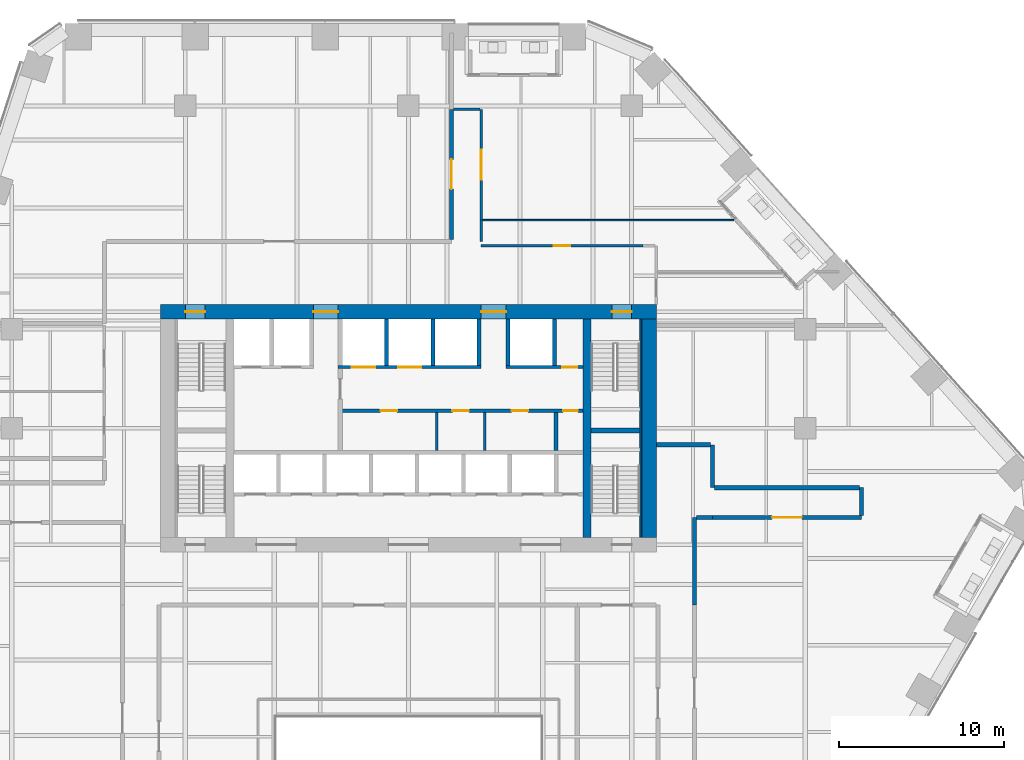
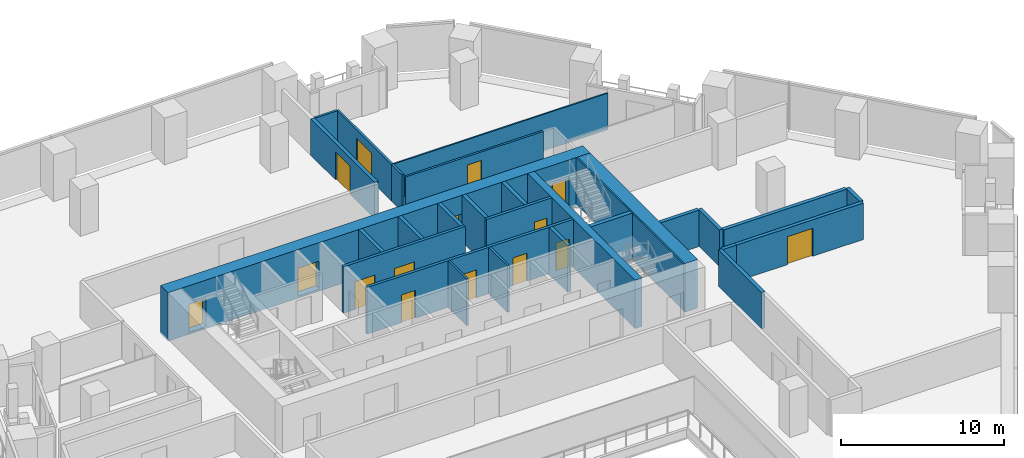
# One storey, part 22 of 28: 29 walls, 15 doors, 15 openings.
"""IFC4 building model written with IfcOpenShell, lengths in metres."""

from ifc_helpers import new_model, si_unit, direction, frame, frame_2d, origin, place, context, subcontext, project, spatial, rectangle, extrude, material, layer, layer_set, type_object, element, fill, save


model = new_model("IFC4")

# Units and contexts
model_context = context("Model", 3, precision=1e-05, world=origin(), true_north=direction((0.0, 1.0)))
body_context = subcontext(model_context, "Body", "Model", "MODEL_VIEW")
ifc_project = project(units=[si_unit("LENGTHUNIT", "METRE"), si_unit("AREAUNIT", "SQUARE_METRE"), si_unit("VOLUMEUNIT", "CUBIC_METRE"), si_unit("PLANEANGLEUNIT", "RADIAN"), si_unit("MASSUNIT", "GRAM", prefix="KILO")], contexts=[model_context])

# Site, building, storey
site_placement = place(None, origin())
site = spatial("IfcSite", under=ifc_project, at=site_placement, CompositionType="ELEMENT")
building_placement = place(site_placement, origin())
building = spatial("IfcBuilding", under=site, at=building_placement, Name="Isthmus Gate Tower", CompositionType="ELEMENT")
storey_placement = place(building_placement, frame((0.0, 0.0, 84.300048828125)))
storey = spatial("IfcBuildingStorey", under=building, at=storey_placement, Name="L19", CompositionType="ELEMENT", Elevation=84.300048828125)

# Walls
ifc_material_1 = material(Name="Double-leaf acoustic stud wall, fire-rated", Category="gypsum")
ifc_layer_1 = layer(ifc_material_1, 0.25)
ifc_layer_set_1 = layer_set([ifc_layer_1], Name="ACOUSTIC WALL 250 60 MIN")
wall_type_1 = type_object("IfcWallType", Name="ACOUSTIC WALL 250 60 MIN", PredefinedType="PARTITIONING", material=ifc_layer_set_1)
wall_1_placement = place(storey_placement, frame((17.298095703125, 2.10205078125, 0.0), z_axis=(0.0, 0.0, 1.0), x_axis=(0.0, -1.0, 0.0)))
element("IfcWall", 1, at=wall_1_placement, inside=storey, type_object=wall_type_1, Name="L19 Acoustic Wall 250 60 Min", PredefinedType="PARTITIONING", context=body_context, shape_type="SweptSolid", body=[
    extrude(rectangle(XDim=5.303955078125, YDim=0.25, at=frame_2d((2.65185546875, 0.0))), origin(), (0.0, 0.0, 1.0), 2.7412109375),
])
wall_2_placement = place(storey_placement, frame((18.402099609375, 2.10205078125, 0.0), z_axis=(0.0, 0.0, 1.0), x_axis=(-1.0, 0.0, 0.0)))
element("IfcWall", 2, at=wall_2_placement, inside=storey, type_object=wall_type_1, Name="L19 Acoustic Wall 250 60 Min", PredefinedType="PARTITIONING", context=body_context, shape_type="SweptSolid", body=[
    extrude(rectangle(XDim=0.97900390625, YDim=0.25, at=frame_2d((0.489501953125, 0.0))), origin(), (0.0, 0.0, 1.0), 2.7412109375),
])
wall_3_placement = place(storey_placement, frame((18.39990234375, 6.5, 0.0), z_axis=(0.0, 0.0, 1.0), x_axis=(0.0, -1.0, 0.0)))
element("IfcWall", 3, at=wall_3_placement, inside=storey, type_object=wall_type_1, Name="L19 Acoustic Wall 250 60 Min", PredefinedType="PARTITIONING", context=body_context, shape_type="SweptSolid", body=[
    extrude(rectangle(XDim=2.60009765625, YDim=0.25, at=frame_2d((1.300048828125, 0.0))), origin(), (0.0, 0.0, 1.0), 2.7412109375),
])

# Wall, opening, door
wall_4_placement = place(storey_placement, frame((27.39990234375, 2.10009765625, 0.0), z_axis=(0.0, 0.0, 1.0), x_axis=(-1.0, 0.0, 0.0)))
wall_4 = element("IfcWall", 4, at=wall_4_placement, inside=storey, type_object=wall_type_1, Name="L19 Acoustic Wall 250 60 Min", PredefinedType="PARTITIONING", context=body_context, shape_type="SweptSolid", body=[
    extrude(rectangle(XDim=8.997802734375, YDim=0.25, at=frame_2d((4.4990234375, 0.0))), origin(), (0.0, 0.0, 1.0), 2.7412109375),
])
opening_1_placement = place(wall_4_placement, frame((3.59912109375, 0.0, 0.0)))
opening_1 = element("IfcOpeningElement", 5, at=opening_1_placement, cuts=wall_4, Name="Opening DT-T2A-09", PredefinedType="OPENING", context=body_context, shape_type="SweptSolid", body=[
    extrude(rectangle(XDim=1.800048828125, YDim=2.10009765625, at=frame_2d((0.89990234375, 1.050048828125))), frame((0.0, 0.135009765625, 0.0), z_axis=(0.0, -1.0, 0.0), x_axis=(1.0, 0.0, 0.0)), (0.0, 0.0, 1.0), 0.27001953125),
])
ifc_material_2 = material(Name="Solid core timber door leaf, fire-rated", Category="wood")
door_type_1 = type_object("IfcDoorType", Name="FIRE DOOR ACOUSTIC ROOM 1800 X 2100 60 MIN", OperationType="DOUBLE_DOOR_DOUBLE_SWING", PredefinedType="DOOR", material=ifc_material_2)
door_1_placement = place(opening_1_placement, origin())
door_1 = element("IfcDoor", 6, at=door_1_placement, inside=storey, type_object=door_type_1, Name="L19 room door", OperationType="DOUBLE_DOOR_DOUBLE_SWING", OverallHeight=2.10009765625, OverallWidth=1.800048828125, PredefinedType="DOOR", context=body_context, shape_type="SweptSolid", body=[
    extrude(rectangle(XDim=1.800048828125, YDim=2.10009765625, at=frame_2d((0.89990234375, 1.050048828125))), frame((0.0, 0.02490234375, 0.0), z_axis=(0.0, -1.0, 0.0), x_axis=(1.0, 0.0, 0.0)), (0.0, 0.0, 1.0), 0.050048828125),
])
fill(opening_1, door_1)

# Wall
wall_5_placement = place(storey_placement, frame((27.39990234375, 3.89990234375, 0.0), z_axis=(0.0, 0.0, 1.0), x_axis=(0.0, -1.0, 0.0)))
element("IfcWall", 7, at=wall_5_placement, inside=storey, type_object=wall_type_1, Name="L19 Acoustic Wall 250 60 Min", PredefinedType="PARTITIONING", context=body_context, shape_type="SweptSolid", body=[
    extrude(rectangle(XDim=1.6748046875, YDim=0.25, at=frame_2d((0.83740234375, 0.0))), origin(), (0.0, 0.0, 1.0), 2.7412109375),
])

# Wall, opening, door
wall_6_placement = place(storey_placement, frame((2.60009765625, 18.925048828125, 0.0), z_axis=(0.0, 0.0, 1.0), x_axis=(0.0, 1.0, 0.0)))
wall_6 = element("IfcWall", 8, at=wall_6_placement, inside=storey, type_object=wall_type_1, Name="L19 Acoustic Wall 250 60 Min", PredefinedType="PARTITIONING", context=body_context, shape_type="SweptSolid", body=[
    extrude(rectangle(XDim=7.875, YDim=0.25, at=frame_2d((3.9375, 0.0))), origin(), (0.0, 0.0, 1.0), 2.7412109375),
])
opening_2_placement = place(wall_6_placement, frame((3.03759765625, 0.0, 0.0)))
opening_2 = element("IfcOpeningElement", 9, at=opening_2_placement, cuts=wall_6, Name="Opening DT-T2A-02", PredefinedType="OPENING", context=body_context, shape_type="SweptSolid", body=[
    extrude(rectangle(XDim=1.800048828125, YDim=2.10009765625, at=frame_2d((0.89990234375, 1.050048828125))), frame((0.0, 0.135009765625, 0.0), z_axis=(0.0, -1.0, 0.0), x_axis=(1.0, 0.0, 0.0)), (0.0, 0.0, 1.0), 0.27001953125),
])
door_2_placement = place(opening_2_placement, origin())
door_2 = element("IfcDoor", 10, at=door_2_placement, inside=storey, type_object=door_type_1, Name="L19 room door", OperationType="DOUBLE_DOOR_DOUBLE_SWING", OverallHeight=2.10009765625, OverallWidth=1.800048828125, PredefinedType="DOOR", context=body_context, shape_type="SweptSolid", body=[
    extrude(rectangle(XDim=1.800048828125, YDim=2.10009765625, at=frame_2d((0.89990234375, 1.050048828125))), frame((0.0, 0.02490234375, 0.0), z_axis=(0.0, -1.0, 0.0), x_axis=(1.0, 0.0, 0.0)), (0.0, 0.0, 1.0), 0.050048828125),
])
fill(opening_2, door_2)

# Walls
wall_7_placement = place(storey_placement, frame((15.0, 6.5, 0.0), z_axis=(0.0, 0.0, 1.0), x_axis=(1.0, 0.0, 0.0)))
element("IfcWall", 11, at=wall_7_placement, inside=storey, type_object=wall_type_1, Name="L19 Acoustic Wall 250 60 Min", PredefinedType="PARTITIONING", context=body_context, shape_type="SweptSolid", body=[
    extrude(rectangle(XDim=3.27490234375, YDim=0.25, at=frame_2d((1.637451171875, 0.0))), origin(), (0.0, 0.0, 1.0), 2.7412109375),
])
wall_8_placement = place(storey_placement, frame((18.52490234375, 3.89990234375, 0.0), z_axis=(0.0, 0.0, 1.0), x_axis=(1.0, 0.0, 0.0)))
element("IfcWall", 12, at=wall_8_placement, inside=storey, type_object=wall_type_1, Name="L19 Acoustic Wall 250 60 Min", PredefinedType="PARTITIONING", context=body_context, shape_type="SweptSolid", body=[
    extrude(rectangle(XDim=8.75, YDim=0.25, at=frame_2d((4.375, 0.0))), origin(), (0.0, 0.0, 1.0), 2.7412109375),
])

# Wall, opening, door
ifc_material_3 = material(Name="Gypsum board on steel studs, fire-rated", Category="steel")
ifc_layer_2 = layer(ifc_material_3, 0.14990234375)
ifc_layer_set_2 = layer_set([ifc_layer_2], Name="CORRIDOR WALL 150 60 MIN")
wall_type_2 = type_object("IfcWallType", Name="CORRIDOR WALL 150 60 MIN", PredefinedType="PARTITIONING", material=ifc_layer_set_2)
wall_9_placement = place(storey_placement, frame((4.39990234375, 26.800048828125, 0.0), z_axis=(0.0, 0.0, 1.0), x_axis=(0.0, -1.0, 0.0)))
wall_9 = element("IfcWall", 13, at=wall_9_placement, inside=storey, type_object=wall_type_2, Name="L19 Corridor Wall 150 60 Min", PredefinedType="PARTITIONING", context=body_context, shape_type="SweptSolid", body=[
    extrude(rectangle(XDim=6.7080078125, YDim=0.14990234375, at=frame_2d((3.35400390625, 0.0))), origin(), (0.0, 0.0, 1.0), 2.7412109375),
])
opening_3_placement = place(wall_9_placement, frame((2.4541015625, 0.0, 0.0)))
opening_3 = element("IfcOpeningElement", 14, at=opening_3_placement, cuts=wall_9, Name="Opening DT-T2A-03", PredefinedType="OPENING", context=body_context, shape_type="SweptSolid", body=[
    extrude(rectangle(XDim=1.800048828125, YDim=2.10009765625, at=frame_2d((0.89990234375, 1.050048828125))), frame((0.0, 0.0849609375, 0.0), z_axis=(0.0, -1.0, 0.0), x_axis=(1.0, 0.0, 0.0)), (0.0, 0.0, 1.0), 0.169921875),
])
ifc_material_4 = material(Name="Solid core timber door leaf, fire-rated", Category="wood")
door_type_2 = type_object("IfcDoorType", Name="FIRE DOOR ROOM 1800 X 2100 60 MIN", OperationType="DOUBLE_DOOR_DOUBLE_SWING", PredefinedType="DOOR", material=ifc_material_4)
door_3_placement = place(opening_3_placement, origin())
door_3 = element("IfcDoor", 15, at=door_3_placement, inside=storey, type_object=door_type_2, Name="L19 room door", OperationType="DOUBLE_DOOR_DOUBLE_SWING", OverallHeight=2.10009765625, OverallWidth=1.800048828125, PredefinedType="DOOR", context=body_context, shape_type="SweptSolid", body=[
    extrude(rectangle(XDim=1.800048828125, YDim=2.10009765625, at=frame_2d((0.89990234375, 1.050048828125))), frame((0.0, 0.02490234375, 0.0), z_axis=(0.0, -1.0, 0.0), x_axis=(1.0, 0.0, 0.0)), (0.0, 0.0, 1.0), 0.050048828125),
])
fill(opening_3, door_3)

# Walls
wall_10_placement = place(storey_placement, frame((4.39990234375, 20.092041015625, 0.0), z_axis=(0.0, 0.0, 1.0), x_axis=(0.0, -1.0, 0.0)))
element("IfcWall", 16, at=wall_10_placement, inside=storey, type_object=wall_type_2, Name="L19 Corridor Wall 150 60 Min", PredefinedType="PARTITIONING", context=body_context, shape_type="SweptSolid", body=[
    extrude(rectangle(XDim=1.2900390625, YDim=0.14990234375, at=frame_2d((0.64501953125, 0.0))), origin(), (0.0, 0.0, 1.0), 2.7412109375),
])
wall_11_placement = place(storey_placement, frame((2.72509765625, 26.800048828125, 0.0), z_axis=(0.0, 0.0, 1.0), x_axis=(1.0, 0.0, 0.0)))
element("IfcWall", 17, at=wall_11_placement, inside=storey, type_object=wall_type_2, Name="L19 Corridor Wall 150 60 Min", PredefinedType="PARTITIONING", context=body_context, shape_type="SweptSolid", body=[
    extrude(rectangle(XDim=1.599853515625, YDim=0.14990234375, at=frame_2d((0.7998046875, 0.0))), origin(), (0.0, 0.0, 1.0), 2.7412109375),
])

# Wall, opening, door
wall_12_placement = place(storey_placement, frame((14.199951171875, 18.5419921875, 0.0), z_axis=(0.0, 0.0, 1.0), x_axis=(-0.999999980148, -0.000199257761, 0.0)))
wall_12 = element("IfcWall", 18, at=wall_12_placement, inside=storey, type_object=wall_type_2, Name="L19 Corridor Wall 150 60 Min", PredefinedType="PARTITIONING", context=body_context, shape_type="SweptSolid", body=[
    extrude(rectangle(XDim=9.802001953125, YDim=0.14990234375, at=frame_2d((4.90087890625, 0.0))), origin(), (0.0, 0.0, 1.0), 2.7412109375),
])
opening_4_placement = place(wall_12_placement, frame((4.40087890625, 0.0, 0.0)))
opening_4 = element("IfcOpeningElement", 19, at=opening_4_placement, cuts=wall_12, Name="Opening DT-T2A-04", PredefinedType="OPENING", context=body_context, shape_type="SweptSolid", body=[
    extrude(rectangle(XDim=1.0, YDim=2.10009765625, at=frame_2d((0.5, 1.050048828125))), frame((0.0, 0.0849609375, 0.0), z_axis=(0.0, -1.0, 0.0), x_axis=(1.0, 0.0, 0.0)), (0.0, 0.0, 1.0), 0.169921875),
])
ifc_material_5 = material(Name="Solid core timber door leaf, fire-rated", Category="wood")
door_type_3 = type_object("IfcDoorType", Name="FIRE DOOR ROOM 1000 X 2100 60 MIN", OperationType="SINGLE_SWING_LEFT", PredefinedType="DOOR", material=ifc_material_5)
door_4_placement = place(opening_4_placement, origin())
door_4 = element("IfcDoor", 20, at=door_4_placement, inside=storey, type_object=door_type_3, Name="L19 room door", OperationType="SINGLE_SWING_RIGHT", OverallHeight=2.10009765625, OverallWidth=1.0, PredefinedType="DOOR", context=body_context, shape_type="SweptSolid", body=[
    extrude(rectangle(XDim=1.0, YDim=2.10009765625, at=frame_2d((0.5, 1.050048828125))), frame((0.0, 0.02490234375, 0.0), z_axis=(0.0, -1.0, 0.0), x_axis=(1.0, 0.0, 0.0)), (0.0, 0.0, 1.0), 0.050048828125),
])
fill(opening_4, door_4)

# Wall
ifc_material_6 = material(Name="Concrete f'c 70 MPa", Category="concrete")
ifc_layer_3 = layer(ifc_material_6, 0.5)
ifc_layer_set_3 = layer_set([ifc_layer_3], Name="RC CORE SPINE WALL 500 F'C 70")
wall_type_3 = type_object("IfcWallType", Name="RC CORE SPINE WALL 500 F'C 70", PredefinedType="SOLIDWALL", material=ifc_layer_set_3)
wall_13_placement = place(storey_placement, frame((10.800048828125, 0.89990234375, -0.150146484375), z_axis=(0.0, 0.0, 1.0), x_axis=(0.0, 1.0, 0.0)))
element("IfcWall", 21, at=wall_13_placement, inside=storey, type_object=wall_type_3, Name="str-corewall-L19-SPE", PredefinedType="SOLIDWALL", context=body_context, shape_type="SweptSolid", body=[
    extrude(rectangle(XDim=13.2001953125, YDim=0.5, at=frame_2d((6.60009765625, 0.0))), origin(), (0.0, 0.0, 1.0), 3.650146484375),
])

# Wall, openings, doors
ifc_material_7 = material(Name="Concrete f'c 70 MPa", Category="concrete")
ifc_layer_4 = layer(ifc_material_7, 0.89990234375)
ifc_layer_set_4 = layer_set([ifc_layer_4], Name="RC CORE WALL 900 F'C 70")
wall_type_4 = type_object("IfcWallType", Name="RC CORE WALL 900 F'C 70", PredefinedType="SOLIDWALL", material=ifc_layer_set_4)
wall_14_placement = place(storey_placement, frame((-15.0, 14.550048828125, -0.150146484375), z_axis=(0.0, 0.0, 1.0), x_axis=(1.0, 0.0, 0.0)))
wall_14 = element("IfcWall", 22, at=wall_14_placement, inside=storey, type_object=wall_type_4, Name="str-corewall-L19-N", PredefinedType="SOLIDWALL", context=body_context, shape_type="SweptSolid", body=[
    extrude(rectangle(XDim=30.0, YDim=0.89990234375, at=frame_2d((15.0, 0.0))), origin(), (0.0, 0.0, 1.0), 3.650146484375),
])
opening_5_placement = place(wall_14_placement, frame((9.25, 0.0, 0.14990234375)))
opening_5 = element("IfcOpeningElement", 23, at=opening_5_placement, cuts=wall_14, Name="Opening DC-A04-11", PredefinedType="OPENING", context=body_context, shape_type="SweptSolid", body=[
    extrude(rectangle(XDim=1.5, YDim=2.10009765625, at=frame_2d((0.75, 1.050048828125))), frame((0.0, 0.4599609375, 0.0), z_axis=(0.0, -1.0, 0.0), x_axis=(1.0, 0.0, 0.0)), (0.0, 0.0, 1.0), 0.919921875),
])
opening_6_placement = place(wall_14_placement, frame((19.39990234375, 0.0, 0.14990234375)))
opening_6 = element("IfcOpeningElement", 24, at=opening_6_placement, cuts=wall_14, Name="Opening DC-A04-12", PredefinedType="OPENING", context=body_context, shape_type="SweptSolid", body=[
    extrude(rectangle(XDim=1.5, YDim=2.10009765625, at=frame_2d((0.75, 1.050048828125))), frame((0.0, 0.4599609375, 0.0), z_axis=(0.0, -1.0, 0.0), x_axis=(1.0, 0.0, 0.0)), (0.0, 0.0, 1.0), 0.919921875),
])
opening_7_placement = place(wall_14_placement, frame((1.5, 0.0, 0.14990234375)))
opening_7 = element("IfcOpeningElement", 25, at=opening_7_placement, cuts=wall_14, Name="Opening DC-A04-13", PredefinedType="OPENING", context=body_context, shape_type="SweptSolid", body=[
    extrude(rectangle(XDim=1.199951171875, YDim=2.10009765625, at=frame_2d((0.60009765625, 1.050048828125))), frame((0.0, 0.4599609375, 0.0), z_axis=(0.0, -1.0, 0.0), x_axis=(1.0, 0.0, 0.0)), (0.0, 0.0, 1.0), 0.919921875),
])
opening_8_placement = place(wall_14_placement, frame((27.300048828125, 0.0, 0.14990234375)))
opening_8 = element("IfcOpeningElement", 26, at=opening_8_placement, cuts=wall_14, Name="Opening DC-A04-14", PredefinedType="OPENING", context=body_context, shape_type="SweptSolid", body=[
    extrude(rectangle(XDim=1.199951171875, YDim=2.10009765625, at=frame_2d((0.60009765625, 1.050048828125))), frame((0.0, 0.4599609375, 0.0), z_axis=(0.0, -1.0, 0.0), x_axis=(1.0, 0.0, 0.0)), (0.0, 0.0, 1.0), 0.919921875),
])
ifc_material_8 = material(Name="Steel door leaf, fire-rated", Category="steel")
door_type_4 = type_object("IfcDoorType", Name="LOBBY FIRE DOOR 1500 X 2100 60 MIN", OperationType="DOUBLE_DOOR_SINGLE_SWING", PredefinedType="DOOR", material=ifc_material_8)
door_5_placement = place(opening_6_placement, origin())
door_5 = element("IfcDoor", 27, at=door_5_placement, inside=storey, type_object=door_type_4, Name="Lobby Door PN-E", OperationType="DOUBLE_DOOR_SINGLE_SWING", OverallHeight=2.10009765625, OverallWidth=1.5, PredefinedType="DOOR", context=body_context, shape_type="SweptSolid", body=[
    extrude(rectangle(XDim=1.5, YDim=2.10009765625, at=frame_2d((0.75, 1.050048828125))), frame((0.0, 0.02490234375, 0.0), z_axis=(0.0, -1.0, 0.0), x_axis=(1.0, 0.0, 0.0)), (0.0, 0.0, 1.0), 0.050048828125),
])
fill(opening_6, door_5)
ifc_material_9 = material(Name="Steel door leaf, fire-rated", Category="steel")
door_type_5 = type_object("IfcDoorType", Name="LOBBY FIRE DOOR 1500 X 2100 90 MIN", OperationType="DOUBLE_DOOR_SINGLE_SWING", PredefinedType="DOOR", material=ifc_material_9)
door_6_placement = place(opening_5_placement, origin())
door_6 = element("IfcDoor", 28, at=door_6_placement, inside=storey, type_object=door_type_5, Name="Lobby Door PN-W", OperationType="DOUBLE_DOOR_SINGLE_SWING", OverallHeight=2.10009765625, OverallWidth=1.5, PredefinedType="DOOR", context=body_context, shape_type="SweptSolid", body=[
    extrude(rectangle(XDim=1.5, YDim=2.10009765625, at=frame_2d((0.75, 1.050048828125))), frame((0.0, 0.02490234375, 0.0), z_axis=(0.0, -1.0, 0.0), x_axis=(1.0, 0.0, 0.0)), (0.0, 0.0, 1.0), 0.050048828125),
])
fill(opening_5, door_6)
ifc_material_10 = material(Name="Steel door leaf, fire-rated", Category="steel")
door_type_6 = type_object("IfcDoorType", Name="STAIR FIRE DOOR 1200 X 2100 90 MIN", OperationType="SINGLE_SWING_LEFT", PredefinedType="DOOR", material=ifc_material_10)
door_7_placement = place(opening_7_placement, origin())
door_7 = element("IfcDoor", 29, at=door_7_placement, inside=storey, type_object=door_type_6, Name="Exit Stair 1 Door", OperationType="SINGLE_SWING_RIGHT", OverallHeight=2.10009765625, OverallWidth=1.199951171875, PredefinedType="DOOR", context=body_context, shape_type="SweptSolid", body=[
    extrude(rectangle(XDim=1.199951171875, YDim=2.10009765625, at=frame_2d((0.60009765625, 1.050048828125))), frame((0.0, 0.02490234375, 0.0), z_axis=(0.0, -1.0, 0.0), x_axis=(1.0, 0.0, 0.0)), (0.0, 0.0, 1.0), 0.050048828125),
])
fill(opening_7, door_7)
door_8_placement = place(opening_8_placement, origin())
door_8 = element("IfcDoor", 30, at=door_8_placement, inside=storey, type_object=door_type_6, Name="Exit Stair 2 Door", OperationType="SINGLE_SWING_LEFT", OverallHeight=2.10009765625, OverallWidth=1.199951171875, PredefinedType="DOOR", context=body_context, shape_type="SweptSolid", body=[
    extrude(rectangle(XDim=1.199951171875, YDim=2.10009765625, at=frame_2d((0.60009765625, 1.050048828125))), frame((0.0, 0.02490234375, 0.0), z_axis=(0.0, -1.0, 0.0), x_axis=(1.0, 0.0, 0.0)), (0.0, 0.0, 1.0), 0.050048828125),
])
fill(opening_8, door_8)

# Walls
wall_15_placement = place(storey_placement, frame((14.550048828125, 0.89990234375, -0.150146484375), z_axis=(0.0, 0.0, 1.0), x_axis=(0.0, 1.0, 0.0)))
element("IfcWall", 31, at=wall_15_placement, inside=storey, type_object=wall_type_4, Name="str-corewall-L19-E", PredefinedType="SOLIDWALL", context=body_context, shape_type="SweptSolid", body=[
    extrude(rectangle(XDim=13.2001953125, YDim=0.89990234375, at=frame_2d((6.60009765625, 0.0))), origin(), (0.0, 0.0, 1.0), 3.650146484375),
])
ifc_material_11 = material(Name="Gypsum board on steel studs, fire-rated", Category="steel")
ifc_layer_5 = layer(ifc_material_11, 0.10009765625)
ifc_layer_set_5 = layer_set([ifc_layer_5], Name="ROOM PARTITION 100 30 MIN")
wall_type_5 = type_object("IfcWallType", Name="ROOM PARTITION 100 30 MIN", PredefinedType="PARTITIONING", material=ifc_layer_set_5)
wall_16_placement = place(storey_placement, frame((4.47509765625, 20.092041015625, 0.0), z_axis=(0.0, 0.0, 1.0), x_axis=(1.0, 0.0, 0.0)))
element("IfcWall", 32, at=wall_16_placement, inside=storey, type_object=wall_type_5, Name="L19 Room Partition 100 30 Min", PredefinedType="PARTITIONING", context=body_context, shape_type="SweptSolid", body=[
    extrude(rectangle(XDim=15.21728515625, YDim=0.10009765625, at=frame_2d((7.608642578125, 0.0))), origin(), (0.0, 0.0, 1.0), 2.7412109375),
])
ifc_material_12 = material(Name="Gypsum board on steel studs, fire-rated", Category="steel")
ifc_layer_6 = layer(ifc_material_12, 0.14990234375)
ifc_layer_set_6 = layer_set([ifc_layer_6], Name="ROOM PARTITION 150 60 MIN")
wall_type_6 = type_object("IfcWallType", Name="ROOM PARTITION 150 60 MIN", PredefinedType="PARTITIONING", material=ifc_layer_set_6)
for number, where, z_axis, x_axis, name in (
    (33, (1.699951171875, 6.14990234375, 0.0), (0.0, 0.0, 1.0), (0.0, 1.0, 0.0), "L19 ROOM PARTITION 150 60 MIN"),
    (34, (4.60009765625, 6.14990234375, 0.0), (0.0, 0.0, 1.0), (0.0, 1.0, 0.0), "L19 ROOM PARTITION 150 60 MIN"),
):
    element("IfcWall", number, at=place(storey_placement, frame(where, z_axis=z_axis, x_axis=x_axis)), inside=storey, type_object=wall_type_6, Name=name, PredefinedType="PARTITIONING", context=body_context, shape_type="SweptSolid", body=[
        extrude(rectangle(XDim=2.300048828125, YDim=0.14990234375, at=frame_2d((1.14990234375, 0.0))), origin(), (0.0, 0.0, 1.0), 3.5),
    ])

# Wall, openings, doors
ifc_material_13 = material(Name="Fire-rated blockwork masonry, 15 MPa", Category="masonry")
ifc_layer_7 = layer(ifc_material_13, 0.199951171875)
ifc_layer_set_7 = layer_set([ifc_layer_7], Name="SHAFT FRONT WALL 200 120 MIN")
wall_type_7 = type_object("IfcWallType", Name="SHAFT FRONT WALL 200 120 MIN", PredefinedType="PARTITIONING", material=ifc_layer_set_7)
wall_17_placement = place(storey_placement, frame((-4.125, 8.550048828125, 0.0), z_axis=(0.0, 0.0, 1.0), x_axis=(1.0, 0.0, 0.0)))
wall_17 = element("IfcWall", 35, at=wall_17_placement, inside=storey, type_object=wall_type_7, Name="L19 SHAFT FRONT WALL 200 120 MIN", PredefinedType="PARTITIONING", context=body_context, shape_type="SweptSolid", body=[
    extrude(rectangle(XDim=14.675048828125, YDim=0.199951171875, at=frame_2d((7.33740234375, 0.0))), origin(), (0.0, 0.0, 1.0), 3.5),
])
opening_9_placement = place(wall_17_placement, frame((2.4375, 0.0, 0.0)))
opening_9 = element("IfcOpeningElement", 36, at=opening_9_placement, cuts=wall_17, Name="Opening DC-A04-03", PredefinedType="OPENING", context=body_context, shape_type="SweptSolid", body=[
    extrude(rectangle(XDim=1.0, YDim=2.10009765625, at=frame_2d((0.5, 1.050048828125))), frame((0.0, 0.10986328125, 0.0), z_axis=(0.0, -1.0, 0.0), x_axis=(1.0, 0.0, 0.0)), (0.0, 0.0, 1.0), 0.219970703125),
])
opening_10_placement = place(wall_17_placement, frame((6.77490234375, 0.0, 0.0)))
opening_10 = element("IfcOpeningElement", 37, at=opening_10_placement, cuts=wall_17, Name="Opening DC-A04-04", PredefinedType="OPENING", context=body_context, shape_type="SweptSolid", body=[
    extrude(rectangle(XDim=1.0, YDim=2.10009765625, at=frame_2d((0.5, 1.050048828125))), frame((0.0, 0.10986328125, 0.0), z_axis=(0.0, -1.0, 0.0), x_axis=(1.0, 0.0, 0.0)), (0.0, 0.0, 1.0), 0.219970703125),
])
opening_11_placement = place(wall_17_placement, frame((10.362548828125, 0.0, 0.0)))
opening_11 = element("IfcOpeningElement", 38, at=opening_11_placement, cuts=wall_17, Name="Opening DC-A04-05", PredefinedType="OPENING", context=body_context, shape_type="SweptSolid", body=[
    extrude(rectangle(XDim=1.0, YDim=2.10009765625, at=frame_2d((0.5, 1.050048828125))), frame((0.0, 0.10986328125, 0.0), z_axis=(0.0, -1.0, 0.0), x_axis=(1.0, 0.0, 0.0)), (0.0, 0.0, 1.0), 0.219970703125),
])
opening_12_placement = place(wall_17_placement, frame((13.47509765625, 0.0, 0.0)))
opening_12 = element("IfcOpeningElement", 39, at=opening_12_placement, cuts=wall_17, Name="Opening DC-A04-06", PredefinedType="OPENING", context=body_context, shape_type="SweptSolid", body=[
    extrude(rectangle(XDim=0.89990234375, YDim=2.10009765625, at=frame_2d((0.449951171875, 1.050048828125))), frame((0.0, 0.10986328125, 0.0), z_axis=(0.0, -1.0, 0.0), x_axis=(1.0, 0.0, 0.0)), (0.0, 0.0, 1.0), 0.219970703125),
])
ifc_material_14 = material(Name="Steel door leaf, fire-rated", Category="steel")
door_type_7 = type_object("IfcDoorType", Name="FIRE DOOR 1000 X 2100 60 MIN", OperationType="SINGLE_SWING_LEFT", PredefinedType="DOOR", material=ifc_material_14)
door_9_placement = place(opening_9_placement, origin())
door_9 = element("IfcDoor", 40, at=door_9_placement, inside=storey, type_object=door_type_7, Name="WC Men Door", OperationType="SINGLE_SWING_LEFT", OverallHeight=2.10009765625, OverallWidth=1.0, PredefinedType="DOOR", context=body_context, shape_type="SweptSolid", body=[
    extrude(rectangle(XDim=1.0, YDim=2.10009765625, at=frame_2d((0.5, 1.050048828125))), frame((0.0, 0.02490234375, 0.0), z_axis=(0.0, -1.0, 0.0), x_axis=(1.0, 0.0, 0.0)), (0.0, 0.0, 1.0), 0.050048828125),
])
fill(opening_9, door_9)
door_10_placement = place(opening_10_placement, origin())
door_10 = element("IfcDoor", 41, at=door_10_placement, inside=storey, type_object=door_type_7, Name="Accessible WC Door", OperationType="SINGLE_SWING_RIGHT", OverallHeight=2.10009765625, OverallWidth=1.0, PredefinedType="DOOR", context=body_context, shape_type="SweptSolid", body=[
    extrude(rectangle(XDim=1.0, YDim=2.10009765625, at=frame_2d((0.5, 1.050048828125))), frame((0.0, 0.02490234375, 0.0), z_axis=(0.0, -1.0, 0.0), x_axis=(1.0, 0.0, 0.0)), (0.0, 0.0, 1.0), 0.050048828125),
])
fill(opening_10, door_10)
door_11_placement = place(opening_11_placement, origin())
door_11 = element("IfcDoor", 42, at=door_11_placement, inside=storey, type_object=door_type_7, Name="WC Women Door", OperationType="SINGLE_SWING_LEFT", OverallHeight=2.10009765625, OverallWidth=1.0, PredefinedType="DOOR", context=body_context, shape_type="SweptSolid", body=[
    extrude(rectangle(XDim=1.0, YDim=2.10009765625, at=frame_2d((0.5, 1.050048828125))), frame((0.0, 0.02490234375, 0.0), z_axis=(0.0, -1.0, 0.0), x_axis=(1.0, 0.0, 0.0)), (0.0, 0.0, 1.0), 0.050048828125),
])
fill(opening_11, door_11)
ifc_material_15 = material(Name="Steel door leaf, fire-rated", Category="steel")
door_type_8 = type_object("IfcDoorType", Name="RISER FIRE DOOR 900 X 2100 90 MIN", OperationType="SINGLE_SWING_LEFT", PredefinedType="DOOR", material=ifc_material_15)
door_12_placement = place(opening_12_placement, origin())
door_12 = element("IfcDoor", 43, at=door_12_placement, inside=storey, type_object=door_type_8, Name="Riser Door", OperationType="SINGLE_SWING_RIGHT", OverallHeight=2.10009765625, OverallWidth=0.89990234375, PredefinedType="DOOR", context=body_context, shape_type="SweptSolid", body=[
    extrude(rectangle(XDim=0.89990234375, YDim=2.10009765625, at=frame_2d((0.449951171875, 1.050048828125))), frame((0.0, 0.02490234375, 0.0), z_axis=(0.0, -1.0, 0.0), x_axis=(1.0, 0.0, 0.0)), (0.0, 0.0, 1.0), 0.050048828125),
])
fill(opening_12, door_12)

wall_18_placement = place(storey_placement, frame((-4.25, 11.199951171875, 0.0), z_axis=(0.0, 0.0, 1.0), x_axis=(1.0, 0.0, 0.0)))
wall_18 = element("IfcWall", 44, at=wall_18_placement, inside=storey, type_object=wall_type_7, Name="L19 SHAFT FRONT WALL 200 120 MIN", PredefinedType="PARTITIONING", context=body_context, shape_type="SweptSolid", body=[
    extrude(rectangle(XDim=8.64990234375, YDim=0.199951171875, at=frame_2d((4.324951171875, 0.0))), origin(), (0.0, 0.0, 1.0), 3.5),
])
opening_13_placement = place(wall_18_placement, frame((0.824951171875, 0.0, 0.0)))
opening_13 = element("IfcOpeningElement", 45, at=opening_13_placement, cuts=wall_18, Name="Opening LD-LV1", PredefinedType="OPENING", context=body_context, shape_type="SweptSolid", body=[
    extrude(rectangle(XDim=1.39990234375, YDim=2.10009765625, at=frame_2d((0.699951171875, 1.050048828125))), frame((0.0, 0.10986328125, 0.0), z_axis=(0.0, -1.0, 0.0), x_axis=(1.0, 0.0, 0.0)), (0.0, 0.0, 1.0), 0.219970703125),
])
opening_14_placement = place(wall_18_placement, frame((3.625, 0.0, 0.0)))
opening_14 = element("IfcOpeningElement", 46, at=opening_14_placement, cuts=wall_18, Name="Opening LD-LV2", PredefinedType="OPENING", context=body_context, shape_type="SweptSolid", body=[
    extrude(rectangle(XDim=1.39990234375, YDim=2.10009765625, at=frame_2d((0.699951171875, 1.050048828125))), frame((0.0, 0.10986328125, 0.0), z_axis=(0.0, -1.0, 0.0), x_axis=(1.0, 0.0, 0.0)), (0.0, 0.0, 1.0), 0.219970703125),
])
ifc_material_16 = material(Name="Stainless steel sliding leaf", Category="steel")
door_type_9 = type_object("IfcDoorType", Name="LIFT LANDING FIRE DOOR 1400 X 2100 90 MIN", OperationType="DOUBLE_DOOR_SLIDING", PredefinedType="DOOR", material=ifc_material_16)
door_13_placement = place(opening_13_placement, origin())
door_13 = element("IfcDoor", 47, at=door_13_placement, inside=storey, type_object=door_type_9, Name="Lift Landing Door LV1", OperationType="DOUBLE_DOOR_SLIDING", OverallHeight=2.10009765625, OverallWidth=1.39990234375, PredefinedType="DOOR", context=body_context, shape_type="SweptSolid", body=[
    extrude(rectangle(XDim=1.39990234375, YDim=2.10009765625, at=frame_2d((0.699951171875, 1.050048828125))), frame((0.0, 0.02490234375, 0.0), z_axis=(0.0, -1.0, 0.0), x_axis=(1.0, 0.0, 0.0)), (0.0, 0.0, 1.0), 0.050048828125),
])
fill(opening_13, door_13)
door_14_placement = place(opening_14_placement, origin())
door_14 = element("IfcDoor", 48, at=door_14_placement, inside=storey, type_object=door_type_9, Name="Lift Landing Door LV2", OperationType="DOUBLE_DOOR_SLIDING", OverallHeight=2.10009765625, OverallWidth=1.39990234375, PredefinedType="DOOR", context=body_context, shape_type="SweptSolid", body=[
    extrude(rectangle(XDim=1.39990234375, YDim=2.10009765625, at=frame_2d((0.699951171875, 1.050048828125))), frame((0.0, 0.02490234375, 0.0), z_axis=(0.0, -1.0, 0.0), x_axis=(1.0, 0.0, 0.0)), (0.0, 0.0, 1.0), 0.050048828125),
])
fill(opening_14, door_14)

# Wall, opening, door
wall_19_placement = place(storey_placement, frame((5.89990234375, 11.199951171875, 0.0), z_axis=(0.0, 0.0, 1.0), x_axis=(1.0, 0.0, 0.0)))
wall_19 = element("IfcWall", 49, at=wall_19_placement, inside=storey, type_object=wall_type_7, Name="L19 SHAFT FRONT WALL 200 120 MIN", PredefinedType="PARTITIONING", context=body_context, shape_type="SweptSolid", body=[
    extrude(rectangle(XDim=4.650146484375, YDim=0.199951171875, at=frame_2d((2.3251953125, 0.0))), origin(), (0.0, 0.0, 1.0), 3.5),
])
opening_15_placement = place(wall_19_placement, frame((3.39990234375, 0.0, 0.0)))
opening_15 = element("IfcOpeningElement", 50, at=opening_15_placement, cuts=wall_19, Name="Opening DC-A04-07", PredefinedType="OPENING", context=body_context, shape_type="SweptSolid", body=[
    extrude(rectangle(XDim=0.89990234375, YDim=2.10009765625, at=frame_2d((0.449951171875, 1.050048828125))), frame((0.0, 0.10986328125, 0.0), z_axis=(0.0, -1.0, 0.0), x_axis=(1.0, 0.0, 0.0)), (0.0, 0.0, 1.0), 0.219970703125),
])
door_15_placement = place(opening_15_placement, origin())
door_15 = element("IfcDoor", 51, at=door_15_placement, inside=storey, type_object=door_type_8, Name="Riser Door", OperationType="SINGLE_SWING_LEFT", OverallHeight=2.10009765625, OverallWidth=0.89990234375, PredefinedType="DOOR", context=body_context, shape_type="SweptSolid", body=[
    extrude(rectangle(XDim=0.89990234375, YDim=2.10009765625, at=frame_2d((0.449951171875, 1.050048828125))), frame((0.0, 0.02490234375, 0.0), z_axis=(0.0, -1.0, 0.0), x_axis=(1.0, 0.0, 0.0)), (0.0, 0.0, 1.0), 0.050048828125),
])
fill(opening_15, door_15)

# Walls
ifc_material_17 = material(Name="Fire-rated blockwork masonry, 15 MPa", Category="masonry")
ifc_layer_8 = layer(ifc_material_17, 0.25)
ifc_layer_set_8 = layer_set([ifc_layer_8], Name="SHAFT WALL 250 120 MIN")
wall_type_8 = type_object("IfcWallType", Name="SHAFT WALL 250 120 MIN", PredefinedType="PARTITIONING", material=ifc_layer_set_8)
wall_20_placement = place(storey_placement, frame((8.925048828125, 6.14990234375, 0.0), z_axis=(0.0, 0.0, 1.0), x_axis=(0.0, 1.0, 0.0)))
element("IfcWall", 52, at=wall_20_placement, inside=storey, type_object=wall_type_8, Name="L19 SHAFT WALL 250 120 MIN", PredefinedType="PARTITIONING", context=body_context, shape_type="SweptSolid", body=[
    extrude(rectangle(XDim=2.300048828125, YDim=0.25, at=frame_2d((1.14990234375, 0.0))), origin(), (0.0, 0.0, 1.0), 3.5),
])
for number, where, z_axis, x_axis, name in (
    (53, (-1.324951171875, 11.300048828125, 0.0), (0.0, 0.0, 1.0), (0.0, 1.0, 0.0), "L19 SHAFT WALL 250 120 MIN"),
    (54, (1.47509765625, 11.300048828125, 0.0), (0.0, 0.0, 1.0), (0.0, 1.0, 0.0), "L19 SHAFT WALL 250 120 MIN"),
    (55, (4.27490234375, 11.300048828125, 0.0), (0.0, 0.0, 1.0), (0.0, 1.0, 0.0), "L19 SHAFT WALL 250 120 MIN"),
    (56, (6.02490234375, 11.300048828125, 0.0), (0.0, 0.0, 1.0), (0.0, 1.0, 0.0), "L19 SHAFT WALL 250 120 MIN"),
    (57, (8.824951171875, 11.300048828125, 0.0), (0.0, 0.0, 1.0), (0.0, 1.0, 0.0), "L19 SHAFT WALL 250 120 MIN"),
):
    element("IfcWall", number, at=place(storey_placement, frame(where, z_axis=z_axis, x_axis=x_axis)), inside=storey, type_object=wall_type_8, Name=name, PredefinedType="PARTITIONING", context=body_context, shape_type="SweptSolid", body=[
        extrude(rectangle(XDim=2.800048828125, YDim=0.25, at=frame_2d((1.39990234375, 0.0))), origin(), (0.0, 0.0, 1.0), 3.5),
    ])
ifc_material_18 = material(Name="Concrete f'c 40 MPa", Category="concrete")
ifc_layer_9 = layer(ifc_material_18, 0.10009765625)
ifc_layer_set_9 = layer_set([ifc_layer_9], Name="STAIR ENCLOSURE WALL 100 180 MIN")
wall_type_9 = type_object("IfcWallType", Name="STAIR ENCLOSURE WALL 100 180 MIN", PredefinedType="SOLIDWALL", material=ifc_layer_set_9)
wall_21_placement = place(storey_placement, frame((14.050048828125, 0.89990234375, 0.0), z_axis=(0.0, 0.0, 1.0), x_axis=(0.0, 1.0, 0.0)))
element("IfcWall", 58, at=wall_21_placement, inside=storey, type_object=wall_type_9, Name="L19 STAIR ENCLOSURE WALL 100 180 MIN", PredefinedType="SOLIDWALL", context=body_context, shape_type="SweptSolid", body=[
    extrude(rectangle(XDim=13.2001953125, YDim=0.10009765625, at=frame_2d((6.60009765625, 0.0))), origin(), (0.0, 0.0, 1.0), 3.5),
])
ifc_material_19 = material(Name="Concrete f'c 40 MPa", Category="concrete")
ifc_layer_10 = layer(ifc_material_19, 0.300048828125)
ifc_layer_set_10 = layer_set([ifc_layer_10], Name="STAIR ENCLOSURE WALL 300 180 MIN")
wall_type_10 = type_object("IfcWallType", Name="STAIR ENCLOSURE WALL 300 180 MIN", PredefinedType="SOLIDWALL", material=ifc_layer_set_10)
wall_22_placement = place(storey_placement, frame((11.050048828125, 7.35009765625, 0.0), z_axis=(0.0, 0.0, 1.0), x_axis=(1.0, 0.0, 0.0)))
element("IfcWall", 59, at=wall_22_placement, inside=storey, type_object=wall_type_10, Name="L19 STAIR ENCLOSURE WALL 300 180 MIN", PredefinedType="SOLIDWALL", context=body_context, shape_type="SweptSolid", body=[
    extrude(rectangle(XDim=2.949951171875, YDim=0.300048828125, at=frame_2d((1.47509765625, 0.0))), origin(), (0.0, 0.0, 1.0), 3.5),
])

save(model, "model.ifc")
